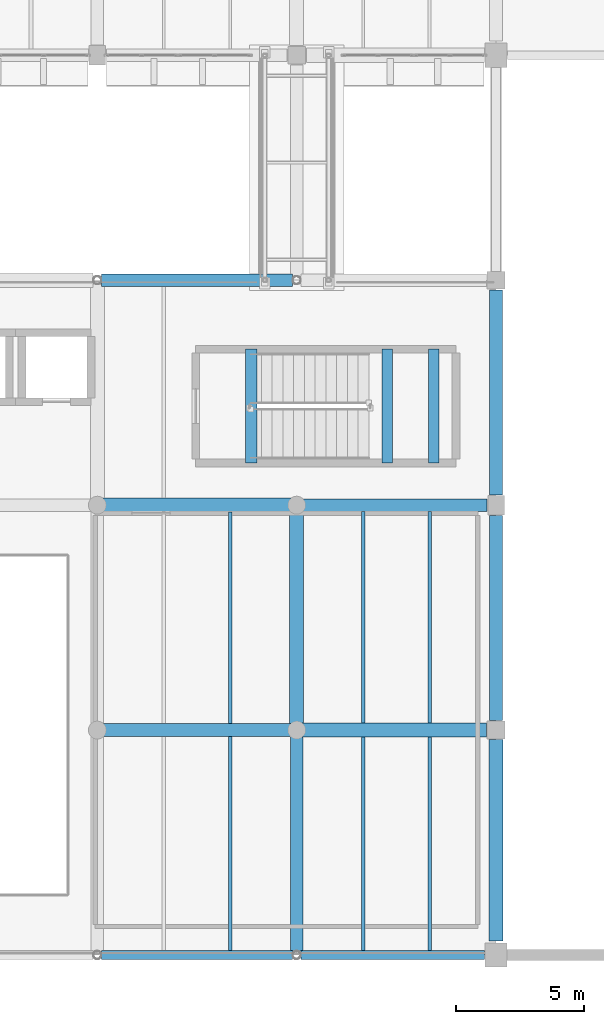
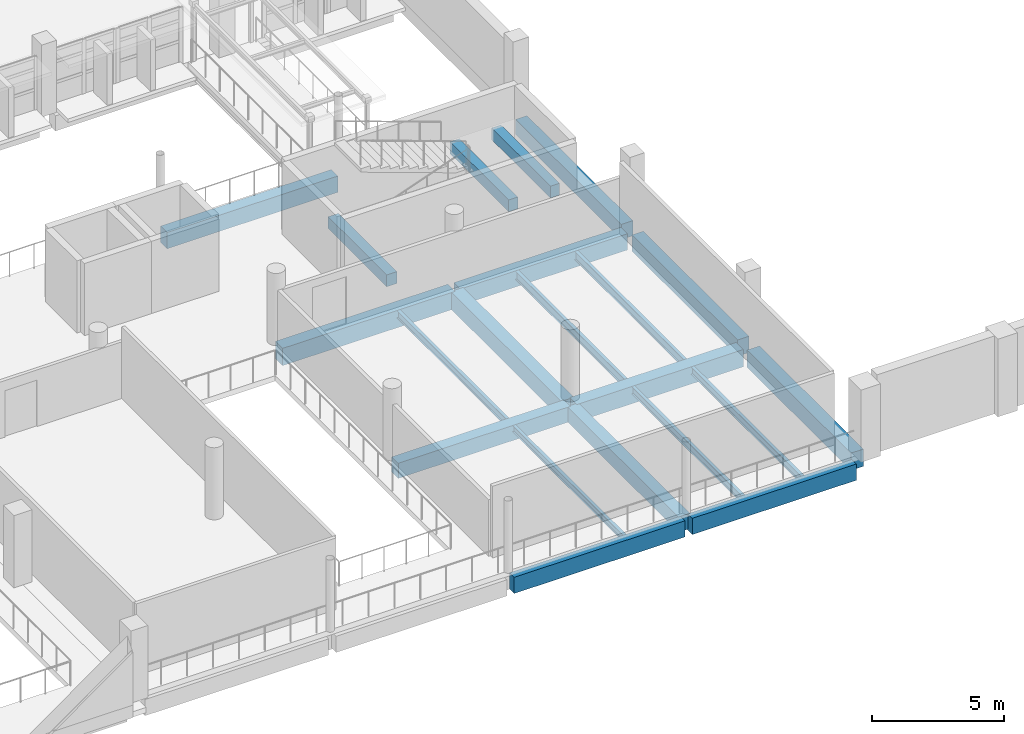
# One storey, part 25 of 75: 21 beams.
"""IFC4 building model written with IfcOpenShell, lengths in metres."""

from ifc_helpers import new_model, si_unit, direction, frame, origin, origin_2d, place, context, subcontext, project, spatial, rectangle, i_section, extrude, material, material_profile, profile_set, type_object, element, save


model = new_model("IFC4")

# Units and contexts
model_context = context("Model", 3, precision=1e-05, world=origin(), true_north=direction((0.0, 1.0)))
body_context = subcontext(model_context, "Body", "Model", "MODEL_VIEW")
ifc_project = project(units=[si_unit("LENGTHUNIT", "METRE"), si_unit("AREAUNIT", "SQUARE_METRE"), si_unit("VOLUMEUNIT", "CUBIC_METRE"), si_unit("PLANEANGLEUNIT", "RADIAN"), si_unit("MASSUNIT", "GRAM", prefix="KILO")], contexts=[model_context])

# Site, building, storey
site_placement = place(None, origin())
site = spatial("IfcSite", under=ifc_project, at=site_placement, CompositionType="ELEMENT")
building_placement = place(site_placement, origin())
building = spatial("IfcBuilding", under=site, at=building_placement, Name="Varnakota Cinema and Media Centre", CompositionType="ELEMENT")
storey_placement = place(building_placement, frame((0.0, 0.0, 8.39990234375)))
storey = spatial("IfcBuildingStorey", under=building, at=storey_placement, Name="L02", CompositionType="ELEMENT", Elevation=8.39990234375)

# Beams
ifc_material_1 = material(Name="Concrete M35", Category="concrete")
ifc_material_profile_1 = material_profile(ifc_material_1, rectangle(XDim=0.39990234375, YDim=0.550048828125, at=origin_2d()), Name="RCB 400x550")
ifc_profile_set_1 = profile_set([ifc_material_profile_1], Name="Concrete M35")
beam_type_1 = type_object("IfcBeamType", Name="BM-RC-400x550", PredefinedType="BEAM", material=ifc_profile_set_1)
for number, where, z_axis, x_axis, name in (
    (1, (70.7373046875, 19.25, 1.3251953125), (0.0, 1.0, 0.0), (-1.0, 0.0, 0.0), "L02 ST-04 landing support beam 1"),
    (2, (72.562744140625, 19.25, 1.3251953125), (0.0, 1.0, 0.0), (-1.0, 0.0, 0.0), "L02 ST-04 landing support beam 2"),
):
    element("IfcBeam", number, at=place(storey_placement, frame(where, z_axis=z_axis, x_axis=x_axis)), inside=storey, type_object=beam_type_1, Name=name, PredefinedType="BEAM", context=body_context, shape_type="SweptSolid", body=[
        extrude(rectangle(XDim=0.39990234375, YDim=0.550048828125, at=origin_2d()), origin(), (0.0, 0.0, 1.0), 4.449951171875),
    ])
ifc_material_2 = material(Name="Concrete M40", Category="concrete")
ifc_material_profile_2 = material_profile(ifc_material_2, rectangle(XDim=0.449951171875, YDim=0.550048828125, at=origin_2d()), Name="RCB 450x550")
ifc_profile_set_2 = profile_set([ifc_material_profile_2], Name="Concrete M40")
beam_type_2 = type_object("IfcBeamType", Name="BM-RC-450x550", PredefinedType="BEAM", material=ifc_profile_set_2)
beam_1_placement = place(storey_placement, frame((65.419921875, 19.25, -0.27490234375), z_axis=(0.0, 1.0, 0.0), x_axis=(-1.0, 0.0, 0.0)))
element("IfcBeam", 3, at=beam_1_placement, inside=storey, type_object=beam_type_2, Name="L02 ST-04 stair arrival trimmer beam", PredefinedType="BEAM", context=body_context, shape_type="SweptSolid", body=[
    extrude(rectangle(XDim=0.449951171875, YDim=0.550048828125, at=origin_2d()), origin(), (0.0, 0.0, 1.0), 4.449951171875),
])
ifc_material_3 = material(Name="Concrete M35", Category="concrete")
ifc_material_profile_3 = material_profile(ifc_material_3, rectangle(XDim=0.5, YDim=0.699951171875, at=origin_2d()), Name="RCB 500x700")
ifc_profile_set_3 = profile_set([ifc_material_profile_3], Name="Concrete M35")
beam_type_3 = type_object("IfcBeamType", Name="BM-RC-500x700", PredefinedType="BEAM", material=ifc_profile_set_3)
beam_2_placement = place(storey_placement, frame((59.52490234375, 8.800048828125, -0.599853515625), z_axis=(1.0, 0.0, 0.0), x_axis=(0.0, 1.0, 0.0)))
element("IfcBeam", 4, at=beam_2_placement, inside=storey, type_object=beam_type_3, Name="L02 girder H-J/2", PredefinedType="BEAM", context=body_context, shape_type="SweptSolid", body=[
    extrude(rectangle(XDim=0.5, YDim=0.699951171875, at=origin_2d()), origin(), (0.0, 0.0, 1.0), 7.550048828125),
])
beam_3_placement = place(storey_placement, frame((67.199951171875, 0.162109375, -0.599853515625), z_axis=(0.0, 1.0, 0.0), x_axis=(-1.0, 0.0, 0.0)))
element("IfcBeam", 5, at=beam_3_placement, inside=storey, type_object=beam_type_3, Name="L02 girder J/1-2", PredefinedType="BEAM", context=body_context, shape_type="SweptSolid", body=[
    extrude(rectangle(XDim=0.5, YDim=0.699951171875, at=origin_2d()), origin(), (0.0, 0.0, 1.0), 8.43798828125),
])
beam_4_placement = place(storey_placement, frame((75.0, 18.0, -0.599853515625), z_axis=(0.0, 1.0, 0.0), x_axis=(-1.0, 0.0, 0.0)))
element("IfcBeam", 6, at=beam_4_placement, inside=storey, type_object=beam_type_3, Name="L02 girder K/3-4", PredefinedType="BEAM", context=body_context, shape_type="SweptSolid", body=[
    extrude(rectangle(XDim=0.5, YDim=0.699951171875, at=origin_2d()), origin(), (0.0, 0.0, 1.0), 8.02490234375),
])
ifc_material_4 = material(Name="Concrete M35", Category="concrete")
ifc_material_profile_4 = material_profile(ifc_material_4, rectangle(XDim=0.5, YDim=0.75, at=origin_2d()), Name="RCB 500x750")
ifc_profile_set_4 = profile_set([ifc_material_profile_4], Name="Concrete M35")
beam_type_4 = type_object("IfcBeamType", Name="BM-RC-500x750", PredefinedType="BEAM", material=ifc_profile_set_4)
beam_5_placement = place(storey_placement, frame((67.324951171875, 17.60009765625, -0.625), z_axis=(1.0, 0.0, 0.0), x_axis=(0.0, 1.0, 0.0)))
element("IfcBeam", 7, at=beam_5_placement, inside=storey, type_object=beam_type_4, Name="L02 girder J-K/3", PredefinedType="BEAM", context=body_context, shape_type="SweptSolid", body=[
    extrude(rectangle(XDim=0.5, YDim=0.75, at=origin_2d()), origin(), (0.0, 0.0, 1.0), 7.324951171875),
])
beam_6_placement = place(storey_placement, frame((59.56201171875, 26.39990234375, -0.625), z_axis=(1.0, 0.0, 0.0), x_axis=(0.0, 1.0, 0.0)))
element("IfcBeam", 8, at=beam_6_placement, inside=storey, type_object=beam_type_4, Name="L02 girder H-J/4", PredefinedType="BEAM", context=body_context, shape_type="SweptSolid", body=[
    extrude(rectangle(XDim=0.5, YDim=0.75, at=origin_2d()), origin(), (0.0, 0.0, 1.0), 7.47607421875),
])
beam_7_placement = place(storey_placement, frame((75.0, 9.175048828125, -0.625), z_axis=(0.0, 1.0, 0.0), x_axis=(-1.0, 0.0, 0.0)))
element("IfcBeam", 9, at=beam_7_placement, inside=storey, type_object=beam_type_4, Name="L02 girder K/2-3", PredefinedType="BEAM", context=body_context, shape_type="SweptSolid", body=[
    extrude(rectangle(XDim=0.5, YDim=0.75, at=origin_2d()), origin(), (0.0, 0.0, 1.0), 8.02490234375),
])
ifc_material_5 = material(Name="Concrete M35", Category="concrete")
ifc_material_profile_5 = material_profile(ifc_material_5, rectangle(XDim=0.550048828125, YDim=0.800048828125, at=origin_2d()), Name="RCB 550x800")
ifc_profile_set_5 = profile_set([ifc_material_profile_5], Name="Concrete M35")
beam_type_5 = type_object("IfcBeamType", Name="BM-RC-550x800", PredefinedType="BEAM", material=ifc_profile_set_5)
beam_8_placement = place(storey_placement, frame((67.324951171875, 8.800048828125, -0.64990234375), z_axis=(1.0, 0.0, 0.0), x_axis=(0.0, 1.0, 0.0)))
element("IfcBeam", 10, at=beam_8_placement, inside=storey, type_object=beam_type_5, Name="L02 girder J-K/2", PredefinedType="BEAM", context=body_context, shape_type="SweptSolid", body=[
    extrude(rectangle(XDim=0.550048828125, YDim=0.800048828125, at=origin_2d()), origin(), (0.0, 0.0, 1.0), 7.300048828125),
])
beam_9_placement = place(storey_placement, frame((59.52490234375, 17.60009765625, -0.64990234375), z_axis=(1.0, 0.0, 0.0), x_axis=(0.0, 1.0, 0.0)))
element("IfcBeam", 11, at=beam_9_placement, inside=storey, type_object=beam_type_5, Name="L02 girder H-J/3", PredefinedType="BEAM", context=body_context, shape_type="SweptSolid", body=[
    extrude(rectangle(XDim=0.550048828125, YDim=0.800048828125, at=origin_2d()), origin(), (0.0, 0.0, 1.0), 7.550048828125),
])
beam_10_placement = place(storey_placement, frame((67.199951171875, 9.0, -0.64990234375), z_axis=(0.0, 1.0, 0.0), x_axis=(-1.0, 0.0, 0.0)))
element("IfcBeam", 12, at=beam_10_placement, inside=storey, type_object=beam_type_5, Name="L02 girder J/2-3", PredefinedType="BEAM", context=body_context, shape_type="SweptSolid", body=[
    extrude(rectangle(XDim=0.550048828125, YDim=0.800048828125, at=origin_2d()), origin(), (0.0, 0.0, 1.0), 8.39990234375),
])
beam_11_placement = place(storey_placement, frame((75.0, 0.550048828125, -0.64990234375), z_axis=(0.0, 1.0, 0.0), x_axis=(-1.0, 0.0, 0.0)))
element("IfcBeam", 13, at=beam_11_placement, inside=storey, type_object=beam_type_5, Name="L02 girder K/1-2", PredefinedType="BEAM", context=body_context, shape_type="SweptSolid", body=[
    extrude(rectangle(XDim=0.550048828125, YDim=0.800048828125, at=origin_2d()), origin(), (0.0, 0.0, 1.0), 7.875),
])
ifc_material_6 = material(Name="Concrete M40", Category="concrete")
ifc_material_profile_6 = material_profile(ifc_material_6, rectangle(XDim=0.35009765625, YDim=0.75, at=origin_2d()), Name="RCB 350x750")
ifc_profile_set_6 = profile_set([ifc_material_profile_6], Name="Concrete M40")
beam_type_6 = type_object("IfcBeamType", Name="BM-SP-350x750", PredefinedType="SPANDREL", material=ifc_profile_set_6)
beam_12_placement = place(storey_placement, frame((59.56201171875, 0.0, -0.625), z_axis=(1.0, 0.0, 0.0), x_axis=(0.0, 1.0, 0.0)))
element("IfcBeam", 14, at=beam_12_placement, inside=storey, type_object=beam_type_6, Name="L02 girder H-J/1", PredefinedType="SPANDREL", context=body_context, shape_type="SweptSolid", body=[
    extrude(rectangle(XDim=0.35009765625, YDim=0.75, at=origin_2d()), origin(), (0.0, 0.0, 1.0), 7.47607421875),
])
beam_13_placement = place(storey_placement, frame((67.362060546875, 0.0, -0.625), z_axis=(1.0, 0.0, 0.0), x_axis=(0.0, 1.0, 0.0)))
element("IfcBeam", 15, at=beam_13_placement, inside=storey, type_object=beam_type_6, Name="L02 girder J-K/1", PredefinedType="SPANDREL", context=body_context, shape_type="SweptSolid", body=[
    extrude(rectangle(XDim=0.35009765625, YDim=0.75, at=origin_2d()), origin(), (0.0, 0.0, 1.0), 7.18798828125),
])
ifc_material_7 = material(Name="Structural steel Grade 350 (E350)", Category="steel")
ifc_material_profile_7 = material_profile(ifc_material_7, i_section(OverallWidth=0.139892578125, OverallDepth=0.300048828125, WebThickness=0.0078125, FlangeThickness=0.01318359375, FilletRadius=0.013916015625, at=origin_2d()), Name="ISMB 300")
ifc_profile_set_7 = profile_set([ifc_material_profile_7], Name="Structural steel Grade 350 (E350)")
beam_type_7 = type_object("IfcBeamType", Name="BM-ST-ISMB300", PredefinedType="JOIST", material=ifc_profile_set_7)
beam_14_placement = place(storey_placement, frame((64.60009765625, 0.175048828125, -0.39990234375), z_axis=(0.0, 1.0, 0.0), x_axis=(-1.0, 0.0, 0.0)))
element("IfcBeam", 16, at=beam_14_placement, inside=storey, type_object=beam_type_7, Name="L02 steel joist H-J/1-2 #2", PredefinedType="JOIST", context=body_context, shape_type="SweptSolid", body=[
    extrude(i_section(OverallWidth=0.139892578125, OverallDepth=0.300048828125, WebThickness=0.0078125, FlangeThickness=0.01318359375, FilletRadius=0.013916015625, at=origin_2d()), origin(), (0.0, 0.0, 1.0), 8.375),
])
ifc_material_8 = material(Name="Structural steel Grade 350 (E350)", Category="steel")
ifc_material_profile_8 = material_profile(ifc_material_8, i_section(OverallWidth=0.139892578125, OverallDepth=0.35009765625, WebThickness=0.008056640625, FlangeThickness=0.01416015625, FilletRadius=0.013916015625, at=origin_2d()), Name="ISMB 350")
ifc_profile_set_8 = profile_set([ifc_material_profile_8], Name="Structural steel Grade 350 (E350)")
beam_type_8 = type_object("IfcBeamType", Name="BM-ST-ISMB350", PredefinedType="JOIST", material=ifc_profile_set_8)
beam_15_placement = place(storey_placement, frame((64.60009765625, 9.050048828125, -0.4248046875), z_axis=(0.0, 1.0, 0.0), x_axis=(-1.0, 0.0, 0.0)))
element("IfcBeam", 17, at=beam_15_placement, inside=storey, type_object=beam_type_8, Name="L02 steel joist H-J/2-3 #2", PredefinedType="JOIST", context=body_context, shape_type="SweptSolid", body=[
    extrude(i_section(OverallWidth=0.139892578125, OverallDepth=0.35009765625, WebThickness=0.008056640625, FlangeThickness=0.01416015625, FilletRadius=0.013916015625, at=origin_2d()), origin(), (0.0, 0.0, 1.0), 8.27490234375),
])
for number, where, z_axis, x_axis, name in (
    (18, (69.800048828125, 0.175048828125, -0.4248046875), (0.0, 1.0, 0.0), (-1.0, 0.0, 0.0), "L02 steel joist J-K/1-2 #1"),
    (19, (72.39990234375, 0.175048828125, -0.4248046875), (0.0, 1.0, 0.0), (-1.0, 0.0, 0.0), "L02 steel joist J-K/1-2 #2"),
):
    element("IfcBeam", number, at=place(storey_placement, frame(where, z_axis=z_axis, x_axis=x_axis)), inside=storey, type_object=beam_type_8, Name=name, PredefinedType="JOIST", context=body_context, shape_type="SweptSolid", body=[
        extrude(i_section(OverallWidth=0.139892578125, OverallDepth=0.35009765625, WebThickness=0.008056640625, FlangeThickness=0.01416015625, FilletRadius=0.013916015625, at=origin_2d()), origin(), (0.0, 0.0, 1.0), 8.349853515625),
    ])
ifc_material_9 = material(Name="Structural steel Grade 350 (E350)", Category="steel")
ifc_material_profile_9 = material_profile(ifc_material_9, i_section(OverallWidth=0.139892578125, OverallDepth=0.39990234375, WebThickness=0.0087890625, FlangeThickness=0.01611328125, FilletRadius=0.013916015625, at=origin_2d()), Name="ISMB 400")
ifc_profile_set_9 = profile_set([ifc_material_profile_9], Name="Structural steel Grade 350 (E350)")
beam_type_9 = type_object("IfcBeamType", Name="BM-ST-ISMB400", PredefinedType="JOIST", material=ifc_profile_set_9)
for number, where, z_axis, x_axis, name in (
    (20, (69.800048828125, 9.074951171875, -0.449951171875), (0.0, 1.0, 0.0), (-1.0, 0.0, 0.0), "L02 steel joist J-K/2-3 #1"),
    (21, (72.39990234375, 9.074951171875, -0.449951171875), (0.0, 1.0, 0.0), (-1.0, 0.0, 0.0), "L02 steel joist J-K/2-3 #2"),
):
    element("IfcBeam", number, at=place(storey_placement, frame(where, z_axis=z_axis, x_axis=x_axis)), inside=storey, type_object=beam_type_9, Name=name, PredefinedType="JOIST", context=body_context, shape_type="SweptSolid", body=[
        extrude(i_section(OverallWidth=0.139892578125, OverallDepth=0.39990234375, WebThickness=0.0087890625, FlangeThickness=0.01611328125, FilletRadius=0.013916015625, at=origin_2d()), origin(), (0.0, 0.0, 1.0), 8.275146484375),
    ])

save(model, "model.ifc")
